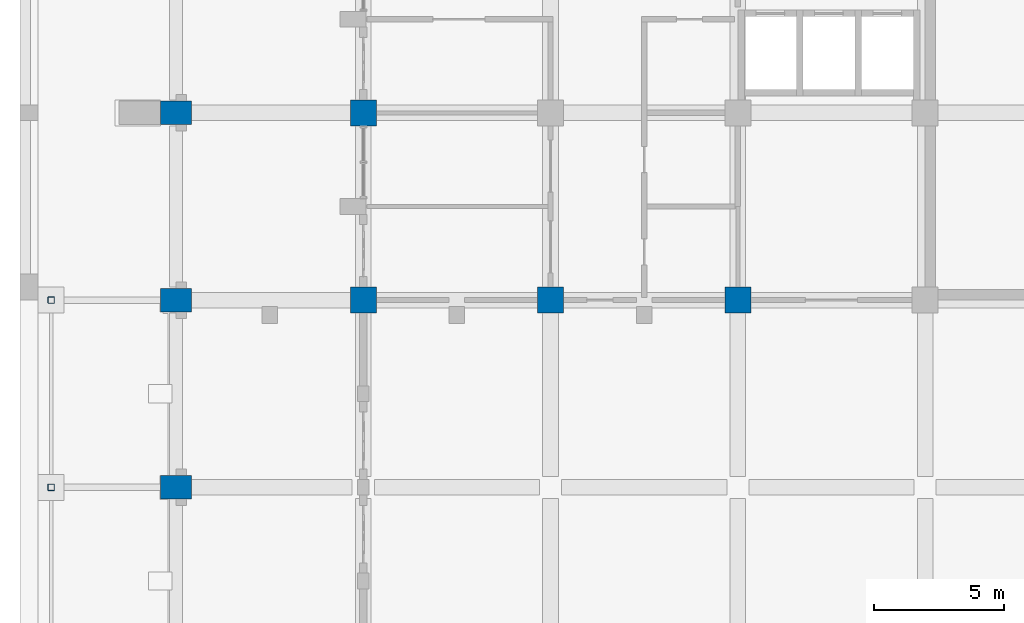
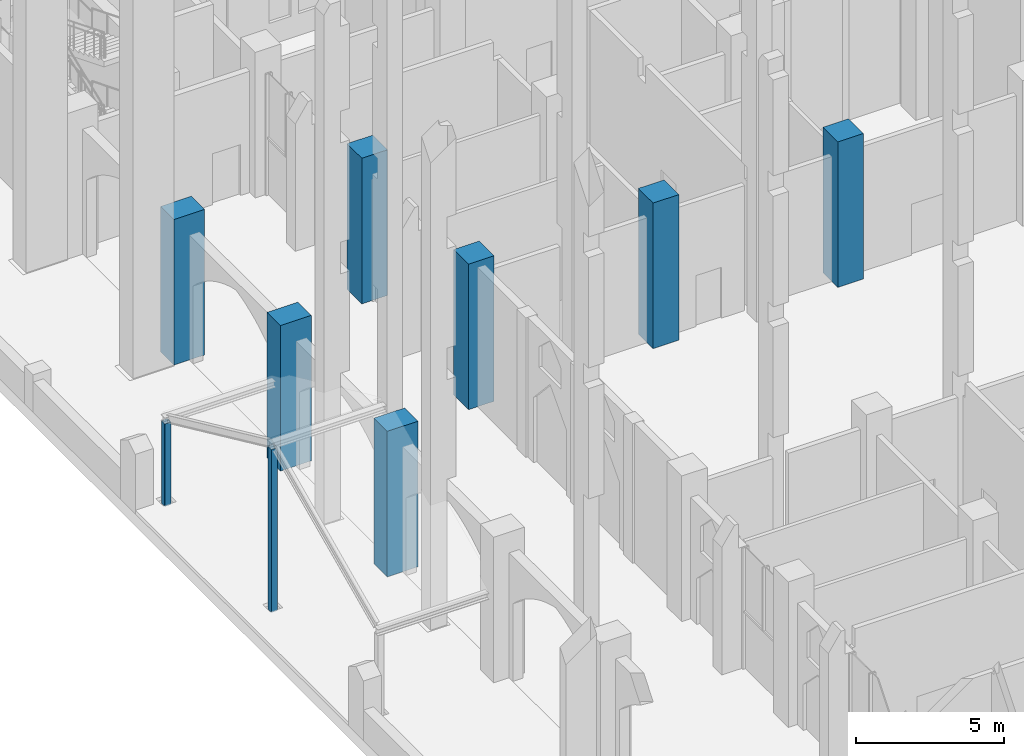
# One storey, part 4 of 50: 9 columns.
"""IFC4 building model written with IfcOpenShell, lengths in metres."""

from ifc_helpers import new_model, si_unit, direction, frame, origin, origin_2d, place, context, subcontext, project, spatial, rectangle, hollow_rectangle, extrude, material, material_profile, profile_set, type_object, element, save


model = new_model("IFC4")

# Units and contexts
model_context = context("Model", 3, precision=1e-05, world=origin(), true_north=direction((0.0, 1.0)))
body_context = subcontext(model_context, "Body", "Model", "MODEL_VIEW")
ifc_project = project(units=[si_unit("LENGTHUNIT", "METRE"), si_unit("AREAUNIT", "SQUARE_METRE"), si_unit("VOLUMEUNIT", "CUBIC_METRE"), si_unit("PLANEANGLEUNIT", "RADIAN"), si_unit("MASSUNIT", "GRAM", prefix="KILO")], contexts=[model_context])

# Site, building, storey
site_placement = place(None, origin())
site = spatial("IfcSite", under=ifc_project, at=site_placement, CompositionType="ELEMENT")
building_placement = place(site_placement, origin())
building = spatial("IfcBuilding", under=site, at=building_placement, Name="Silangan Lancet Faculty of Sciences", CompositionType="ELEMENT")
storey_placement = place(building_placement, origin())
storey = spatial("IfcBuildingStorey", under=building, at=storey_placement, Name="L00", CompositionType="ELEMENT", Elevation=0.0)

# Columns
ifc_material_1 = material(Name="Concrete C50/60", Category="concrete")
ifc_material_profile_1 = material_profile(ifc_material_1, rectangle(XDim=1.0, YDim=1.0, at=origin_2d()), Name="RC 1000x1000")
ifc_profile_set_1 = profile_set([ifc_material_profile_1], Name="Concrete C50/60")
column_type_1 = type_object("IfcColumnType", Name="COLUMN RC 1000x1000", PredefinedType="COLUMN", material=ifc_profile_set_1)
for number, where, z_axis, x_axis, name in (
    (1, (7.199951171875, 36.0, 0.0), (0.0, 0.0, 1.0), (1.0, 0.0, 0.0), "COL-L00-2F"),
    (2, (7.199951171875, 43.199951171875, 0.0), (0.0, 0.0, 1.0), (1.0, 0.0, 0.0), "COL-L00-2G"),
    (3, (14.39990234375, 36.0, 0.0), (0.0, 0.0, 1.0), (1.0, 0.0, 0.0), "COL-L00-3F"),
    (4, (21.60009765625, 36.0, 0.0), (0.0, 0.0, 1.0), (1.0, 0.0, 0.0), "COL-L00-4F"),
):
    element("IfcColumn", number, at=place(storey_placement, frame(where, z_axis=z_axis, x_axis=x_axis)), inside=storey, type_object=column_type_1, Name=name, PredefinedType="COLUMN", context=body_context, shape_type="SweptSolid", body=[
        extrude(rectangle(XDim=1.0, YDim=1.0, at=origin_2d()), origin(), (0.0, 0.0, 1.0), 6.0),
    ])
ifc_material_2 = material(Name="Concrete C50/60", Category="concrete")
ifc_material_profile_2 = material_profile(ifc_material_2, rectangle(XDim=1.199951171875, YDim=0.89990234375, at=origin_2d()), Name="RC 1200x900")
ifc_profile_set_2 = profile_set([ifc_material_profile_2], Name="Concrete C50/60")
column_type_2 = type_object("IfcColumnType", Name="COLUMN RC 1200x900", PredefinedType="COLUMN", material=ifc_profile_set_2)
for number, where, z_axis, x_axis, name in (
    (5, (0.0, 28.800048828125, 0.0), (0.0, 0.0, 1.0), (1.0, 0.0, 0.0), "COL-L00-1E"),
    (6, (0.0, 36.0, 0.0), (0.0, 0.0, 1.0), (1.0, 0.0, 0.0), "COL-L00-1F"),
    (7, (0.0, 43.199951171875, 0.0), (0.0, 0.0, 1.0), (1.0, 0.0, 0.0), "COL-L00-1G"),
):
    element("IfcColumn", number, at=place(storey_placement, frame(where, z_axis=z_axis, x_axis=x_axis)), inside=storey, type_object=column_type_2, Name=name, PredefinedType="COLUMN", context=body_context, shape_type="SweptSolid", body=[
        extrude(rectangle(XDim=1.199951171875, YDim=0.89990234375, at=origin_2d()), origin(), (0.0, 0.0, 1.0), 6.0),
    ])
ifc_material_3 = material(Name="Steel STKR400", Category="steel")
ifc_material_profile_3 = material_profile(ifc_material_3, hollow_rectangle(XDim=0.25, YDim=0.25, WallThickness=0.009033203125, InnerFilletRadius=0.009033203125, OuterFilletRadius=0.01806640625, at=origin_2d()), Name="SHS 250x250x9.0")
ifc_profile_set_3 = profile_set([ifc_material_profile_3], Name="Steel STKR400")
column_type_3 = type_object("IfcColumnType", Name="Porch column SHS 250x250x9.0", PredefinedType="COLUMN", material=ifc_profile_set_3)
column_1_placement = place(storey_placement, frame((-4.800048828125, 28.800048828125, -0.14990234375), z_axis=(0.0, 0.0, 1.0), x_axis=(1.0, 0.0, 0.0)))
element("IfcColumn", 8, at=column_1_placement, inside=storey, type_object=column_type_3, Name="Porch column 2", PredefinedType="COLUMN", context=body_context, shape_type="SweptSolid", body=[
    extrude(hollow_rectangle(XDim=0.25, YDim=0.25, WallThickness=0.009033203125, InnerFilletRadius=0.009033203125, OuterFilletRadius=0.01806640625, at=origin_2d()), origin(), (0.0, 0.0, 1.0), 6.7119140625),
])
column_2_placement = place(storey_placement, frame((-4.800048828125, 36.0, -0.14990234375), z_axis=(0.0, 0.0, 1.0), x_axis=(1.0, 0.0, 0.0)))
element("IfcColumn", 9, at=column_2_placement, inside=storey, type_object=column_type_3, Name="Porch column 3", PredefinedType="COLUMN", context=body_context, shape_type="SweptSolid", body=[
    extrude(hollow_rectangle(XDim=0.25, YDim=0.25, WallThickness=0.009033203125, InnerFilletRadius=0.009033203125, OuterFilletRadius=0.01806640625, at=origin_2d()), origin(), (0.0, 0.0, 1.0), 3.39990234375),
])

save(model, "model.ifc")
